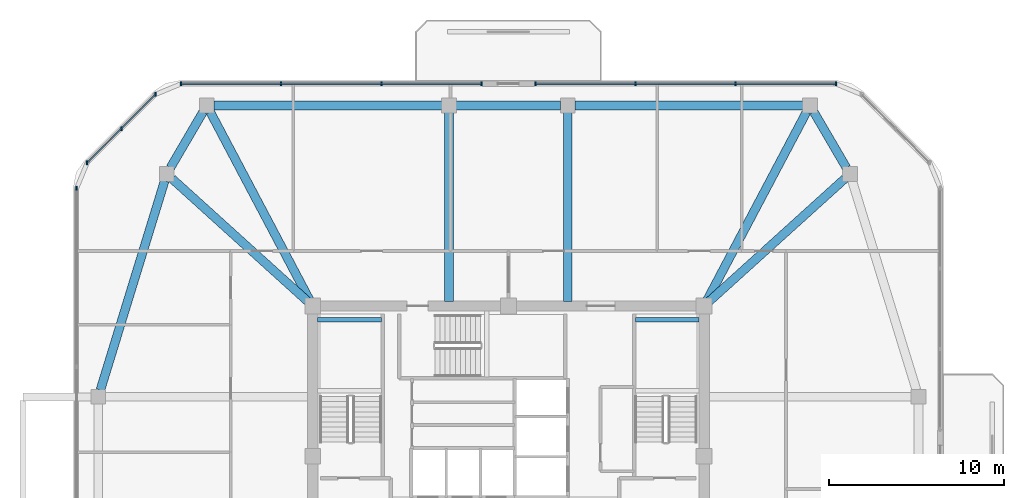
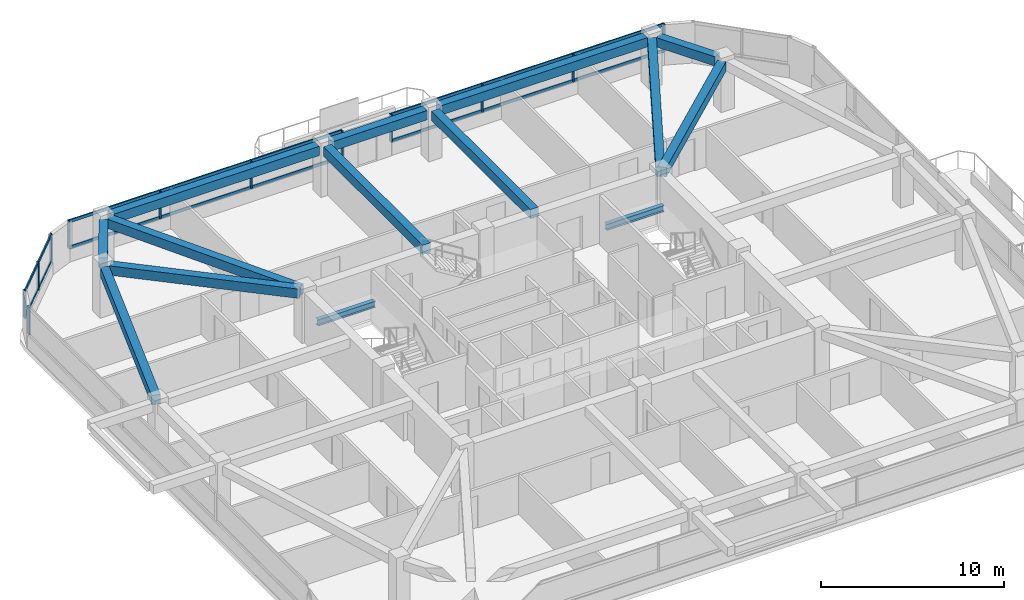
# One storey, part 6 of 14: 18 members, 14 beams, 4 elements without a shape of their own.
"""IFC4 building model written with IfcOpenShell, lengths in metres."""

from ifc_helpers import new_model, si_unit, derived_unit, direction, frame, origin, origin_2d, place, context, subcontext, project, spatial, rectangle, i_section, extrude, material, material_profile, profile_set, type_object, element, aggregate, save


model = new_model("IFC4")

# Units and contexts
model_context = context("Model", 3, precision=1e-05, world=origin(), true_north=direction((0.0, 1.0)))
body_context = subcontext(model_context, "Body", "Model", "MODEL_VIEW")
ifc_project = project(units=[si_unit("LENGTHUNIT", "METRE"), si_unit("AREAUNIT", "SQUARE_METRE"), si_unit("VOLUMEUNIT", "CUBIC_METRE"), si_unit("PLANEANGLEUNIT", "RADIAN"), si_unit("MASSUNIT", "GRAM", prefix="KILO"), derived_unit("THERMALTRANSMITTANCEUNIT", [(si_unit("POWERUNIT", "WATT"), 1), (si_unit("LENGTHUNIT", "METRE"), -2), (si_unit("THERMODYNAMICTEMPERATUREUNIT", "KELVIN"), -1)])], contexts=[model_context])

# Site, building, storey
site_placement = place(None, origin())
site = spatial("IfcSite", under=ifc_project, at=site_placement, CompositionType="ELEMENT")
building_placement = place(site_placement, origin())
building = spatial("IfcBuilding", under=site, at=building_placement, Name="Koralith Skygarden Medical Center", CompositionType="ELEMENT")
storey_placement = place(building_placement, frame((0.0, 0.0, 246.419921875)))
storey = spatial("IfcBuildingStorey", under=building, at=storey_placement, Name="L63", CompositionType="ELEMENT", Elevation=246.419921875)

# Curtain wall, members
ifc_material_1 = material(Name="Clear Laminated Glass", Category="glass")
curtain_wall_type = type_object("IfcCurtainWallType", Name="CW-6 Zone 5 Upper Clinical Curtain Wall", PredefinedType="NOTDEFINED", material=ifc_material_1)
curtain_wall_1_placement = place(storey_placement, origin())
curtain_wall_1 = element("IfcCurtainWall", 1, at=curtain_wall_1_placement, inside=storey, type_object=curtain_wall_type, Name="Curtain Wall CW-L63-N-L", PredefinedType="NOTDEFINED")
ifc_material_2 = material(Name="Aluminium 6063-T6", Category="aluminium")
ifc_material_profile_1 = material_profile(ifc_material_2, rectangle(XDim=0.0830078125, YDim=0.219970703125, at=origin_2d()), Name="MUL83X220")
ifc_profile_set_1 = profile_set([ifc_material_profile_1], Name="Aluminium 6063-T6")
member_type_1 = type_object("IfcMemberType", Name="CW-6 Extruded Mullion 83x220", PredefinedType="MULLION", material=ifc_profile_set_1)
member_1_placement = place(storey_placement, frame((55.7451171875, 47.219970703125, 0.85009765625), z_axis=(0.0, 0.0, 1.0), x_axis=(1.0, 0.0, 0.0)))
member_1 = element("IfcMember", 2, at=member_1_placement, type_object=member_type_1, Name="CW-L63-N-L Mullion 1", PredefinedType="MULLION", context=body_context, shape_type="SweptSolid", body=[
    extrude(rectangle(XDim=0.0830078125, YDim=0.219970703125, at=origin_2d()), origin(), (0.0, 0.0, 1.0), 1.840087890625),
])
member_2_placement = place(storey_placement, frame((50.010009765625, 47.219970703125, 0.85009765625), z_axis=(0.0, 0.0, 1.0), x_axis=(1.0, 0.0, 0.0)))
member_2 = element("IfcMember", 3, at=member_2_placement, type_object=member_type_1, Name="CW-L63-N-L Mullion 2", PredefinedType="MULLION", context=body_context, shape_type="SweptSolid", body=[
    extrude(rectangle(XDim=0.0830078125, YDim=0.219970703125, at=origin_2d()), origin(), (0.0, 0.0, 1.0), 1.840087890625),
])
member_3_placement = place(storey_placement, frame((44.27587890625, 47.219970703125, 0.85009765625), z_axis=(0.0, 0.0, 1.0), x_axis=(1.0, 0.0, 0.0)))
member_3 = element("IfcMember", 4, at=member_3_placement, type_object=member_type_1, Name="CW-L63-N-L Mullion 3", PredefinedType="MULLION", context=body_context, shape_type="SweptSolid", body=[
    extrude(rectangle(XDim=0.0830078125, YDim=0.219970703125, at=origin_2d()), origin(), (0.0, 0.0, 1.0), 1.840087890625),
])
member_4_placement = place(storey_placement, frame((38.541015625, 47.219970703125, 0.85009765625), z_axis=(0.0, 0.0, 1.0), x_axis=(1.0, 0.0, 0.0)))
member_4 = element("IfcMember", 5, at=member_4_placement, type_object=member_type_1, Name="CW-L63-N-L Mullion 4", PredefinedType="MULLION", context=body_context, shape_type="SweptSolid", body=[
    extrude(rectangle(XDim=0.0830078125, YDim=0.219970703125, at=origin_2d()), origin(), (0.0, 0.0, 1.0), 1.840087890625),
])

curtain_wall_2_placement = place(storey_placement, origin())
curtain_wall_2 = element("IfcCurtainWall", 6, at=curtain_wall_2_placement, inside=storey, type_object=curtain_wall_type, Name="Curtain Wall CW-L63-N-R", PredefinedType="NOTDEFINED")
member_5_placement = place(storey_placement, frame((35.4609375, 47.219970703125, 0.85009765625), z_axis=(0.0, 0.0, 1.0), x_axis=(1.0, 0.0, 0.0)))
member_5 = element("IfcMember", 7, at=member_5_placement, type_object=member_type_1, Name="CW-L63-N-R Mullion 1", PredefinedType="MULLION", context=body_context, shape_type="SweptSolid", body=[
    extrude(rectangle(XDim=0.0830078125, YDim=0.219970703125, at=origin_2d()), origin(), (0.0, 0.0, 1.0), 1.840087890625),
])
member_6_placement = place(storey_placement, frame((29.72607421875, 47.219970703125, 0.85009765625), z_axis=(0.0, 0.0, 1.0), x_axis=(1.0, 0.0, 0.0)))
member_6 = element("IfcMember", 8, at=member_6_placement, type_object=member_type_1, Name="CW-L63-N-R Mullion 2", PredefinedType="MULLION", context=body_context, shape_type="SweptSolid", body=[
    extrude(rectangle(XDim=0.0830078125, YDim=0.219970703125, at=origin_2d()), origin(), (0.0, 0.0, 1.0), 1.840087890625),
])
member_7_placement = place(storey_placement, frame((23.989990234375, 47.219970703125, 0.85009765625), z_axis=(0.0, 0.0, 1.0), x_axis=(1.0, 0.0, 0.0)))
member_7 = element("IfcMember", 9, at=member_7_placement, type_object=member_type_1, Name="CW-L63-N-R Mullion 3", PredefinedType="MULLION", context=body_context, shape_type="SweptSolid", body=[
    extrude(rectangle(XDim=0.0830078125, YDim=0.219970703125, at=origin_2d()), origin(), (0.0, 0.0, 1.0), 1.840087890625),
])
member_8_placement = place(storey_placement, frame((18.2548828125, 47.219970703125, 0.85009765625), z_axis=(0.0, 0.0, 1.0), x_axis=(1.0, 0.0, 0.0)))
member_8 = element("IfcMember", 10, at=member_8_placement, type_object=member_type_1, Name="CW-L63-N-R Mullion 4", PredefinedType="MULLION", context=body_context, shape_type="SweptSolid", body=[
    extrude(rectangle(XDim=0.0830078125, YDim=0.219970703125, at=origin_2d()), origin(), (0.0, 0.0, 1.0), 1.840087890625),
])

curtain_wall_3_placement = place(storey_placement, origin())
curtain_wall_3 = element("IfcCurtainWall", 11, at=curtain_wall_3_placement, inside=storey, type_object=curtain_wall_type, Name="Curtain Wall CW-L63-NW", PredefinedType="NOTDEFINED")
member_9_placement = place(storey_placement, frame((16.803955078125, 46.618896484375, 0.85009765625), z_axis=(0.0, 0.0, 1.0), x_axis=(1.0, 0.0, 0.0)))
member_9 = element("IfcMember", 12, at=member_9_placement, type_object=member_type_1, Name="CW-L63-NW Mullion 1", PredefinedType="MULLION", context=body_context, shape_type="SweptSolid", body=[
    extrude(rectangle(XDim=0.0830078125, YDim=0.219970703125, at=origin_2d()), origin(), (0.0, 0.0, 1.0), 1.840087890625),
])
member_10_placement = place(storey_placement, frame((14.842041015625, 44.656982421875, 0.85009765625), z_axis=(0.0, 0.0, 1.0), x_axis=(1.0, 0.0, 0.0)))
member_10 = element("IfcMember", 13, at=member_10_placement, type_object=member_type_1, Name="CW-L63-NW Mullion 2", PredefinedType="MULLION", context=body_context, shape_type="SweptSolid", body=[
    extrude(rectangle(XDim=0.0830078125, YDim=0.219970703125, at=origin_2d()), origin(), (0.0, 0.0, 1.0), 1.840087890625),
])
member_11_placement = place(storey_placement, frame((12.881103515625, 42.696044921875, 0.85009765625), z_axis=(0.0, 0.0, 1.0), x_axis=(1.0, 0.0, 0.0)))
member_11 = element("IfcMember", 14, at=member_11_placement, type_object=member_type_1, Name="CW-L63-NW Mullion 3", PredefinedType="MULLION", context=body_context, shape_type="SweptSolid", body=[
    extrude(rectangle(XDim=0.0830078125, YDim=0.219970703125, at=origin_2d()), origin(), (0.0, 0.0, 1.0), 1.840087890625),
])

# Curtain wall, member
curtain_wall_4_placement = place(storey_placement, origin())
curtain_wall_4 = element("IfcCurtainWall", 15, at=curtain_wall_4_placement, inside=storey, type_object=curtain_wall_type, Name="Curtain Wall CW-L63-W", PredefinedType="NOTDEFINED")
member_12_placement = place(storey_placement, frame((12.280029296875, 41.2451171875, 0.85009765625), z_axis=(0.0, 0.0, 1.0), x_axis=(1.0, 0.0, 0.0)))
member_12 = element("IfcMember", 16, at=member_12_placement, type_object=member_type_1, Name="CW-L63-W Mullion 1", PredefinedType="MULLION", context=body_context, shape_type="SweptSolid", body=[
    extrude(rectangle(XDim=0.0830078125, YDim=0.219970703125, at=origin_2d()), origin(), (0.0, 0.0, 1.0), 1.840087890625),
])
aggregate(curtain_wall_4, [member_12])

# Member
ifc_material_profile_2 = material_profile(ifc_material_2, rectangle(XDim=0.077880859375, YDim=0.197998046875, at=origin_2d()), Name="TRN78X198")
ifc_profile_set_2 = profile_set([ifc_material_profile_2], Name="Aluminium 6063-T6")
member_type_2 = type_object("IfcMemberType", Name="CW-6 Thermal Transom 78x198", PredefinedType="USERDEFINED", material=ifc_profile_set_2)
member_13_placement = place(storey_placement, frame((55.7451171875, 47.219970703125, 0.900146484375), z_axis=(-1.0, 0.0, 0.0), x_axis=(0.0, -1.0, 0.0)))
member_13 = element("IfcMember", 17, at=member_13_placement, type_object=member_type_2, Name="CW-L63-N-L Transom 1", ObjectType="TRANSOM", PredefinedType="USERDEFINED", context=body_context, shape_type="SweptSolid", body=[
    extrude(rectangle(XDim=0.077880859375, YDim=0.197998046875, at=origin_2d()), origin(), (0.0, 0.0, 1.0), 17.2041015625),
])

member_14_placement = place(storey_placement, frame((55.7451171875, 47.219970703125, 2.64013671875), z_axis=(-1.0, 0.0, 0.0), x_axis=(0.0, -1.0, 0.0)))
member_14 = element("IfcMember", 18, at=member_14_placement, type_object=member_type_2, Name="CW-L63-N-L Transom 2", ObjectType="TRANSOM", PredefinedType="USERDEFINED", context=body_context, shape_type="SweptSolid", body=[
    extrude(rectangle(XDim=0.077880859375, YDim=0.197998046875, at=origin_2d()), origin(), (0.0, 0.0, 1.0), 17.2041015625),
])

aggregate(curtain_wall_1, [member_1, member_2, member_3, member_4, member_13, member_14])

member_15_placement = place(storey_placement, frame((35.4609375, 47.219970703125, 0.900146484375), z_axis=(-1.0, 0.0, 0.0), x_axis=(0.0, -1.0, 0.0)))
member_15 = element("IfcMember", 19, at=member_15_placement, type_object=member_type_2, Name="CW-L63-N-R Transom 1", ObjectType="TRANSOM", PredefinedType="USERDEFINED", context=body_context, shape_type="SweptSolid", body=[
    extrude(rectangle(XDim=0.077880859375, YDim=0.197998046875, at=origin_2d()), origin(), (0.0, 0.0, 1.0), 17.2060546875),
])

member_16_placement = place(storey_placement, frame((35.4609375, 47.219970703125, 2.64013671875), z_axis=(-1.0, 0.0, 0.0), x_axis=(0.0, -1.0, 0.0)))
member_16 = element("IfcMember", 20, at=member_16_placement, type_object=member_type_2, Name="CW-L63-N-R Transom 2", ObjectType="TRANSOM", PredefinedType="USERDEFINED", context=body_context, shape_type="SweptSolid", body=[
    extrude(rectangle(XDim=0.077880859375, YDim=0.197998046875, at=origin_2d()), origin(), (0.0, 0.0, 1.0), 17.2060546875),
])

aggregate(curtain_wall_2, [member_5, member_6, member_7, member_8, member_15, member_16])

member_17_placement = place(storey_placement, frame((16.803955078125, 46.618896484375, 0.900146484375), z_axis=(-0.707106781187, -0.707106781187, 0.0), x_axis=(0.707106781187, -0.707106781187, 0.0)))
member_17 = element("IfcMember", 21, at=member_17_placement, type_object=member_type_2, Name="CW-L63-NW Transom 1", ObjectType="TRANSOM", PredefinedType="USERDEFINED", context=body_context, shape_type="SweptSolid", body=[
    extrude(rectangle(XDim=0.077880859375, YDim=0.197998046875, at=origin_2d()), origin(), (0.0, 0.0, 1.0), 5.5478515625),
])

member_18_placement = place(storey_placement, frame((16.803955078125, 46.618896484375, 2.64013671875), z_axis=(-0.707106781187, -0.707106781187, 0.0), x_axis=(0.707106781187, -0.707106781187, 0.0)))
member_18 = element("IfcMember", 22, at=member_18_placement, type_object=member_type_2, Name="CW-L63-NW Transom 2", ObjectType="TRANSOM", PredefinedType="USERDEFINED", context=body_context, shape_type="SweptSolid", body=[
    extrude(rectangle(XDim=0.077880859375, YDim=0.197998046875, at=origin_2d()), origin(), (0.0, 0.0, 1.0), 5.5478515625),
])

aggregate(curtain_wall_3, [member_9, member_10, member_11, member_17, member_18])

# Beams
ifc_material_3 = material(Name="Steel ASTM A992 Grade 50", Category="steel")
ifc_material_profile_3 = material_profile(ifc_material_3, i_section(OverallWidth=0.260009765625, OverallDepth=0.4150390625, WebThickness=0.010009765625, FlangeThickness=0.016845703125, at=origin_2d()), Name="W16X67")
ifc_profile_set_3 = profile_set([ifc_material_profile_3], Name="Steel ASTM A992 Grade 50")
beam_type_1 = type_object("IfcBeamType", Name="Clinical Floor Joist W16X67", PredefinedType="JOIST", material=ifc_profile_set_3)
for number, where, z_axis, x_axis, name in (
    (23, (26.080078125, 33.699951171875, 1.39208984375), (1.0, 0.0, 0.0), (0.0, 1.0, 0.0), "L63 Stair ST1 Half-Landing Support Beam 1B"),
    (24, (44.280029296875, 33.699951171875, 1.39208984375), (1.0, 0.0, 0.0), (0.0, 1.0, 0.0), "L63 Stair ST2 Half-Landing Support Beam 1B"),
):
    element("IfcBeam", number, at=place(storey_placement, frame(where, z_axis=z_axis, x_axis=x_axis)), inside=storey, type_object=beam_type_1, Name=name, PredefinedType="JOIST", context=body_context, shape_type="SweptSolid", body=[
        extrude(i_section(OverallWidth=0.260009765625, OverallDepth=0.4150390625, WebThickness=0.010009765625, FlangeThickness=0.016845703125, at=origin_2d()), origin(), (0.0, 0.0, 1.0), 3.639892578125),
    ])
ifc_material_4 = material(Name="Concrete C45/55", Category="concrete")
ifc_material_profile_4 = material_profile(ifc_material_4, rectangle(XDim=0.5, YDim=0.6201171875, at=origin_2d()), Name="RCB500X620")
ifc_profile_set_4 = profile_set([ifc_material_profile_4], Name="Concrete C45/55")
beam_type_2 = type_object("IfcBeamType", Name="Upper Radial Collector Beam RCB500X620", PredefinedType="BEAM", material=ifc_profile_set_4)
beam_1_placement = place(storey_placement, frame((48.385009765625, 34.66796875, 3.010009765625), z_axis=(0.741747768548, 0.670678945438, 0.0), x_axis=(-0.670678945438, 0.741747768548, 0.0)))
element("IfcBeam", 25, at=beam_1_placement, inside=storey, type_object=beam_type_2, Name="L63 Radial Collector Beam RB-10", PredefinedType="BEAM", context=body_context, shape_type="SweptSolid", body=[
    extrude(rectangle(XDim=0.5, YDim=0.6201171875, at=origin_2d()), origin(), (0.0, 0.0, 1.0), 10.611572265625),
])
beam_2_placement = place(storey_placement, frame((48.31689453125, 34.720947265625, 3.010009765625), z_axis=(0.467256895772, 0.884121594213, 0.0), x_axis=(-0.884121594213, 0.467256895772, 0.0)))
element("IfcBeam", 26, at=beam_2_placement, inside=storey, type_object=beam_type_2, Name="L63 Radial Collector Beam RB-11", PredefinedType="BEAM", context=body_context, shape_type="SweptSolid", body=[
    extrude(rectangle(XDim=0.5, YDim=0.6201171875, at=origin_2d()), origin(), (0.0, 0.0, 1.0), 12.3251953125),
])
for number, where, z_axis, x_axis, name in (
    (27, (40.39990234375, 34.75, 3.010009765625), (0.0, 1.0, 0.0), (-1.0, 0.0, 0.0), "L63 Radial Collector Beam RB-12"),
    (28, (33.60009765625, 34.75, 3.010009765625), (0.0, 1.0, 0.0), (-1.0, 0.0, 0.0), "L63 Radial Collector Beam RB-13"),
):
    element("IfcBeam", number, at=place(storey_placement, frame(where, z_axis=z_axis, x_axis=x_axis)), inside=storey, type_object=beam_type_2, Name=name, PredefinedType="BEAM", context=body_context, shape_type="SweptSolid", body=[
        extrude(rectangle(XDim=0.5, YDim=0.6201171875, at=origin_2d()), origin(), (0.0, 0.0, 1.0), 10.820068359375),
    ])
beam_3_placement = place(storey_placement, frame((25.68310546875, 34.720947265625, 3.010009765625), z_axis=(-0.467256895772, 0.884121594213, 0.0), x_axis=(-0.884121594213, -0.467256895772, 0.0)))
element("IfcBeam", 29, at=beam_3_placement, inside=storey, type_object=beam_type_2, Name="L63 Radial Collector Beam RB-14", PredefinedType="BEAM", context=body_context, shape_type="SweptSolid", body=[
    extrude(rectangle(XDim=0.5, YDim=0.6201171875, at=origin_2d()), origin(), (0.0, 0.0, 1.0), 12.3251953125),
])
beam_4_placement = place(storey_placement, frame((25.614990234375, 34.66796875, 3.010009765625), z_axis=(-0.741747768548, 0.670678945438, 0.0), x_axis=(-0.670678945438, -0.741747768548, 0.0)))
element("IfcBeam", 30, at=beam_4_placement, inside=storey, type_object=beam_type_2, Name="L63 Radial Collector Beam RB-15", PredefinedType="BEAM", context=body_context, shape_type="SweptSolid", body=[
    extrude(rectangle(XDim=0.5, YDim=0.6201171875, at=origin_2d()), origin(), (0.0, 0.0, 1.0), 10.611572265625),
])
ifc_material_profile_5 = material_profile(ifc_material_4, rectangle(XDim=0.5, YDim=0.6201171875, at=origin_2d()), Name="RCB500X620")
ifc_profile_set_5 = profile_set([ifc_material_profile_5], Name="Concrete C45/55")
beam_type_3 = type_object("IfcBeamType", Name="Zone 4-5 Spandrel Beam RCB500X620", PredefinedType="SPANDREL", material=ifc_profile_set_5)
beam_5_placement = place(storey_placement, frame((56.35302734375, 42.4140625, 3.010009765625), z_axis=(-0.50473571007, 0.863273921175, 0.0), x_axis=(-0.863273921175, -0.50473571007, 0.0)))
element("IfcBeam", 31, at=beam_5_placement, inside=storey, type_object=beam_type_3, Name="L63 Perimeter Spandrel Beam SP-10", PredefinedType="SPANDREL", context=body_context, shape_type="SweptSolid", body=[
    extrude(rectangle(XDim=0.5, YDim=0.6201171875, at=origin_2d()), origin(), (0.0, 0.0, 1.0), 3.720703125),
])
beam_6_placement = place(storey_placement, frame((53.85791015625, 45.97998046875, 3.010009765625), z_axis=(-1.0, 0.0, 0.0), x_axis=(0.0, -1.0, 0.0)))
element("IfcBeam", 32, at=beam_6_placement, inside=storey, type_object=beam_type_3, Name="L63 Perimeter Spandrel Beam SP-11", PredefinedType="SPANDREL", context=body_context, shape_type="SweptSolid", body=[
    extrude(rectangle(XDim=0.5, YDim=0.6201171875, at=origin_2d()), origin(), (0.0, 0.0, 1.0), 13.0478515625),
])
beam_7_placement = place(storey_placement, frame((39.989990234375, 45.97998046875, 3.010009765625), z_axis=(-1.0, 0.0, 0.0), x_axis=(0.0, -1.0, 0.0)))
element("IfcBeam", 33, at=beam_7_placement, inside=storey, type_object=beam_type_3, Name="L63 Perimeter Spandrel Beam SP-12", PredefinedType="SPANDREL", context=body_context, shape_type="SweptSolid", body=[
    extrude(rectangle(XDim=0.5, YDim=0.6201171875, at=origin_2d()), origin(), (0.0, 0.0, 1.0), 5.97998046875),
])
beam_8_placement = place(storey_placement, frame((33.18994140625, 45.97998046875, 3.010009765625), z_axis=(-1.0, 0.0, 0.0), x_axis=(0.0, -1.0, 0.0)))
element("IfcBeam", 34, at=beam_8_placement, inside=storey, type_object=beam_type_3, Name="L63 Perimeter Spandrel Beam SP-13", PredefinedType="SPANDREL", context=body_context, shape_type="SweptSolid", body=[
    extrude(rectangle(XDim=0.5, YDim=0.6201171875, at=origin_2d()), origin(), (0.0, 0.0, 1.0), 13.0478515625),
])
beam_9_placement = place(storey_placement, frame((19.52490234375, 45.6259765625, 3.010009765625), z_axis=(-0.50473571007, -0.863273921175, 0.0), x_axis=(0.863273921175, -0.50473571007, 0.0)))
element("IfcBeam", 35, at=beam_9_placement, inside=storey, type_object=beam_type_3, Name="L63 Perimeter Spandrel Beam SP-14", PredefinedType="SPANDREL", context=body_context, shape_type="SweptSolid", body=[
    extrude(rectangle(XDim=0.5, YDim=0.6201171875, at=origin_2d()), origin(), (0.0, 0.0, 1.0), 3.720703125),
])
beam_10_placement = place(storey_placement, frame((17.320068359375, 41.66796875, 3.010009765625), z_axis=(-0.293738023424, -0.955885962652, 0.0), x_axis=(0.955885962652, -0.293738023424, 0.0)))
element("IfcBeam", 36, at=beam_10_placement, inside=storey, type_object=beam_type_3, Name="L63 Perimeter Spandrel Beam SP-15", PredefinedType="SPANDREL", context=body_context, shape_type="SweptSolid", body=[
    extrude(rectangle(XDim=0.5, YDim=0.6201171875, at=origin_2d()), origin(), (0.0, 0.0, 1.0), 12.52880859375),
])

save(model, "model.ifc")
